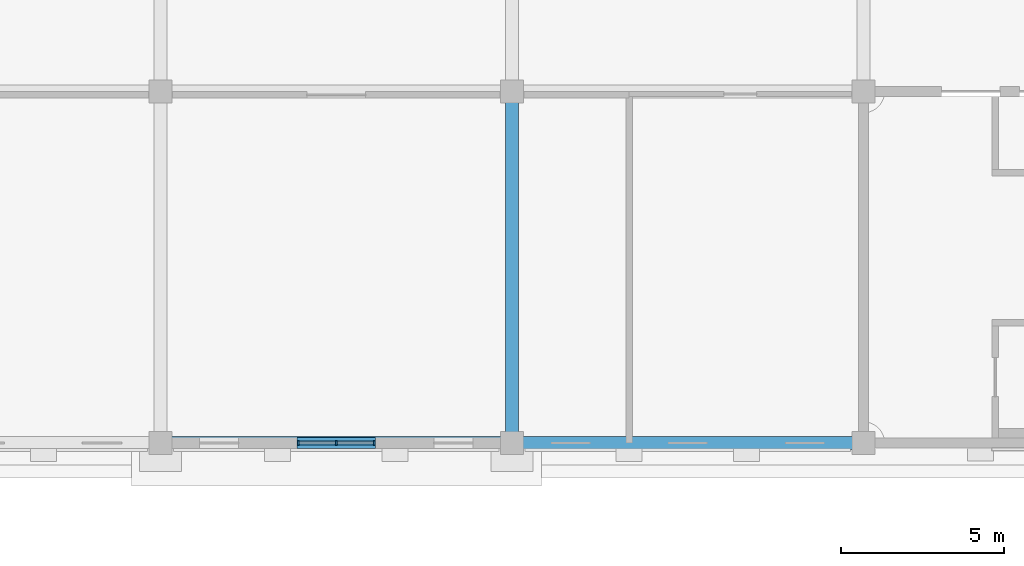
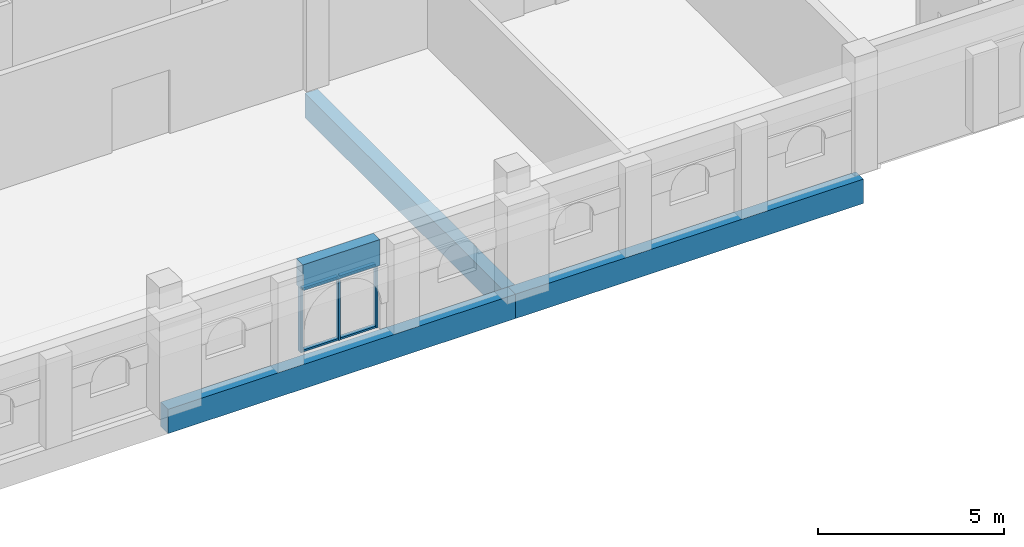
# One storey, part 2 of 10: 7 members, 4 beams, 1 element without a shape of its own.
"""IFC4 building model written with IfcOpenShell, lengths in metres."""

from ifc_helpers import new_model, si_unit, direction, frame, origin, origin_2d, place, context, subcontext, project, spatial, rectangle, extrude, material, layer, layer_set, material_profile, profile_set, type_object, element, aggregate, save


model = new_model("IFC4")

# Units and contexts
model_context = context("Model", 3, precision=1e-05, world=origin(), true_north=direction((0.0, 1.0)))
body_context = subcontext(model_context, "Body", "Model", "MODEL_VIEW")
ifc_project = project(units=[si_unit("LENGTHUNIT", "METRE"), si_unit("AREAUNIT", "SQUARE_METRE"), si_unit("VOLUMEUNIT", "CUBIC_METRE"), si_unit("PLANEANGLEUNIT", "RADIAN"), si_unit("MASSUNIT", "GRAM", prefix="KILO")], contexts=[model_context])

# Site, building, storey
site_placement = place(None, origin())
site = spatial("IfcSite", under=ifc_project, at=site_placement, CompositionType="ELEMENT")
building_placement = place(site_placement, origin())
building = spatial("IfcBuilding", under=site, at=building_placement, Name="Magnolia Steps Interchange", CompositionType="ELEMENT")
storey_placement = place(building_placement, frame((0.0, 0.0, 24.300048828125)))
storey = spatial("IfcBuildingStorey", under=building, at=storey_placement, Name="L06", CompositionType="ELEMENT", Elevation=24.300048828125)

# Curtain wall, members
ifc_material_1 = material(Name="Powder-coated aluminium and glass", Category="aluminium")
ifc_layer = layer(ifc_material_1, 0.199951171875)
ifc_layer_set = layer_set([ifc_layer], Name="Glazed central bay curtain wall")
curtain_wall_type = type_object("IfcCurtainWallType", Name="Glazed central bay curtain wall", PredefinedType="NOTDEFINED", material=ifc_layer_set)
curtain_wall_placement = place(storey_placement, origin())
curtain_wall = element("IfcCurtainWall", 1, at=curtain_wall_placement, inside=storey, type_object=curtain_wall_type, Name="Operations building south wall L06 glazing 2", PredefinedType="NOTDEFINED")
ifc_material_2 = material(Name="White powder-coated aluminium", Category="aluminium")
ifc_material_profile_1 = material_profile(ifc_material_2, rectangle(XDim=0.06005859375, YDim=0.14990234375, at=origin_2d()), Name="Aluminium mullion 60 x 150")
ifc_profile_set_1 = profile_set([ifc_material_profile_1], Name="White powder-coated aluminium")
member_type_1 = type_object("IfcMemberType", Name="Aluminium mullion 60 x 150", PredefinedType="MULLION", material=ifc_profile_set_1)
member_1_placement = place(storey_placement, frame((89.830078125, 96.39990234375, 0.0), z_axis=(0.0, 0.0, 1.0), x_axis=(1.0, 0.0, 0.0)))
member_1 = element("IfcMember", 2, at=member_1_placement, type_object=member_type_1, Name="CW2 mullion 1", PredefinedType="MULLION", context=body_context, shape_type="SweptSolid", body=[
    extrude(rectangle(XDim=0.06005859375, YDim=0.14990234375, at=origin_2d()), origin(), (0.0, 0.0, 1.0), 2.099853515625),
])
member_2_placement = place(storey_placement, frame((91.0, 96.39990234375, 0.0), z_axis=(0.0, 0.0, 1.0), x_axis=(1.0, 0.0, 0.0)))
member_2 = element("IfcMember", 3, at=member_2_placement, type_object=member_type_1, Name="CW2 mullion 2", PredefinedType="MULLION", context=body_context, shape_type="SweptSolid", body=[
    extrude(rectangle(XDim=0.06005859375, YDim=0.14990234375, at=origin_2d()), origin(), (0.0, 0.0, 1.0), 2.099853515625),
])
member_3_placement = place(storey_placement, frame((92.169921875, 96.39990234375, 0.0), z_axis=(0.0, 0.0, 1.0), x_axis=(1.0, 0.0, 0.0)))
member_3 = element("IfcMember", 4, at=member_3_placement, type_object=member_type_1, Name="CW2 mullion 3", PredefinedType="MULLION", context=body_context, shape_type="SweptSolid", body=[
    extrude(rectangle(XDim=0.06005859375, YDim=0.14990234375, at=origin_2d()), origin(), (0.0, 0.0, 1.0), 2.099853515625),
])
ifc_material_3 = material(Name="White powder-coated aluminium", Category="aluminium")
ifc_material_profile_2 = material_profile(ifc_material_3, rectangle(XDim=0.06005859375, YDim=0.1201171875, at=origin_2d()), Name="Aluminium transom 60 x 120")
ifc_profile_set_2 = profile_set([ifc_material_profile_2], Name="White powder-coated aluminium")
member_type_2 = type_object("IfcMemberType", Name="Aluminium transom 60 x 120", PredefinedType="USERDEFINED", material=ifc_profile_set_2)
member_4_placement = place(storey_placement, frame((89.860107421875, 96.39990234375, 0.030029296875), z_axis=(1.0, 0.0, 0.0), x_axis=(0.0, 0.0, 1.0)))
member_4 = element("IfcMember", 5, at=member_4_placement, type_object=member_type_2, Name="CW2 transom 1.1", ObjectType="TRANSOM", PredefinedType="USERDEFINED", context=body_context, shape_type="SweptSolid", body=[
    extrude(rectangle(XDim=0.06005859375, YDim=0.1201171875, at=origin_2d()), origin(), (0.0, 0.0, 1.0), 1.10986328125),
])
member_5_placement = place(storey_placement, frame((89.860107421875, 96.39990234375, 2.070068359375), z_axis=(1.0, 0.0, 0.0), x_axis=(0.0, 0.0, 1.0)))
member_5 = element("IfcMember", 6, at=member_5_placement, type_object=member_type_2, Name="CW2 transom 1.2", ObjectType="TRANSOM", PredefinedType="USERDEFINED", context=body_context, shape_type="SweptSolid", body=[
    extrude(rectangle(XDim=0.06005859375, YDim=0.1201171875, at=origin_2d()), origin(), (0.0, 0.0, 1.0), 1.10986328125),
])
member_6_placement = place(storey_placement, frame((91.030029296875, 96.39990234375, 0.030029296875), z_axis=(1.0, 0.0, 0.0), x_axis=(0.0, 0.0, 1.0)))
member_6 = element("IfcMember", 7, at=member_6_placement, type_object=member_type_2, Name="CW2 transom 2.1", ObjectType="TRANSOM", PredefinedType="USERDEFINED", context=body_context, shape_type="SweptSolid", body=[
    extrude(rectangle(XDim=0.06005859375, YDim=0.1201171875, at=origin_2d()), origin(), (0.0, 0.0, 1.0), 1.10986328125),
])
member_7_placement = place(storey_placement, frame((91.030029296875, 96.39990234375, 2.070068359375), z_axis=(1.0, 0.0, 0.0), x_axis=(0.0, 0.0, 1.0)))
member_7 = element("IfcMember", 8, at=member_7_placement, type_object=member_type_2, Name="CW2 transom 2.2", ObjectType="TRANSOM", PredefinedType="USERDEFINED", context=body_context, shape_type="SweptSolid", body=[
    extrude(rectangle(XDim=0.06005859375, YDim=0.1201171875, at=origin_2d()), origin(), (0.0, 0.0, 1.0), 1.10986328125),
])
aggregate(curtain_wall, [member_1, member_2, member_3, member_4, member_5, member_6, member_7])

# Beams
ifc_material_4 = material(Name="Concrete C40", Category="concrete")
ifc_material_profile_3 = material_profile(ifc_material_4, rectangle(XDim=0.35009765625, YDim=0.85009765625, at=origin_2d()), Name="RC350x850")
ifc_profile_set_3 = profile_set([ifc_material_profile_3], Name="Concrete C40")
beam_type_1 = type_object("IfcBeamType", Name="Lime render lintel 350x850", PredefinedType="LINTEL", material=ifc_profile_set_3)
beam_1_placement = place(storey_placement, frame((89.800048828125, 96.39990234375, 2.52490234375), z_axis=(1.0, 0.0, 0.0), x_axis=(0.0, 1.0, 0.0)))
element("IfcBeam", 9, at=beam_1_placement, inside=storey, type_object=beam_type_1, Name="Operations building south wall L06 lintel 2", PredefinedType="LINTEL", context=body_context, shape_type="SweptSolid", body=[
    extrude(rectangle(XDim=0.35009765625, YDim=0.85009765625, at=origin_2d()), origin(), (0.0, 0.0, 1.0), 2.39990234375),
])
ifc_material_5 = material(Name="Concrete C40", Category="concrete")
ifc_material_profile_4 = material_profile(ifc_material_5, rectangle(XDim=0.39990234375, YDim=0.800048828125, at=origin_2d()), Name="RC400x800")
ifc_profile_set_4 = profile_set([ifc_material_profile_4], Name="Concrete C40")
beam_type_2 = type_object("IfcBeamType", Name="RC beam 400x800", PredefinedType="BEAM", material=ifc_profile_set_4)
beam_2_placement = place(storey_placement, frame((85.60009765625, 96.39990234375, -0.699951171875), z_axis=(1.0, 0.0, 0.0), x_axis=(0.0, 1.0, 0.0)))
element("IfcBeam", 10, at=beam_2_placement, inside=storey, type_object=beam_type_2, Name="Beam L06 I 8-9", PredefinedType="BEAM", context=body_context, shape_type="SweptSolid", body=[
    extrude(rectangle(XDim=0.39990234375, YDim=0.800048828125, at=origin_2d()), origin(), (0.0, 0.0, 1.0), 10.7998046875),
])
for number, where, z_axis, x_axis, name in (
    (11, (96.39990234375, 96.39990234375, -0.699951171875), (1.0, 0.0, 0.0), (0.0, 1.0, 0.0), "Beam L06 I 9-10"),
    (12, (96.39990234375, 96.39990234375, -0.699951171875), (0.0, 1.0, 0.0), (-1.0, 0.0, 0.0), "Beam L06 9 I-J"),
):
    element("IfcBeam", number, at=place(storey_placement, frame(where, z_axis=z_axis, x_axis=x_axis)), inside=storey, type_object=beam_type_2, Name=name, PredefinedType="BEAM", context=body_context, shape_type="SweptSolid", body=[
        extrude(rectangle(XDim=0.39990234375, YDim=0.800048828125, at=origin_2d()), origin(), (0.0, 0.0, 1.0), 10.800048828125),
    ])

save(model, "model.ifc")
